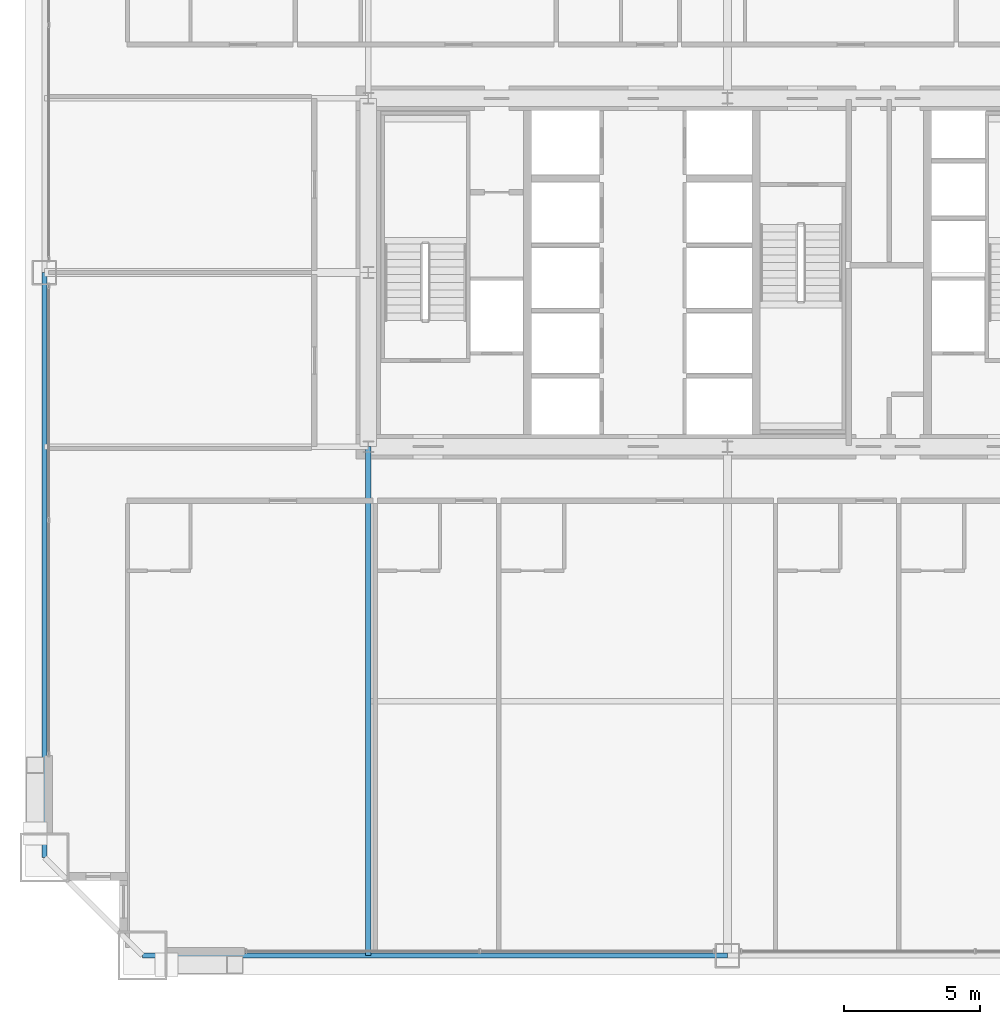
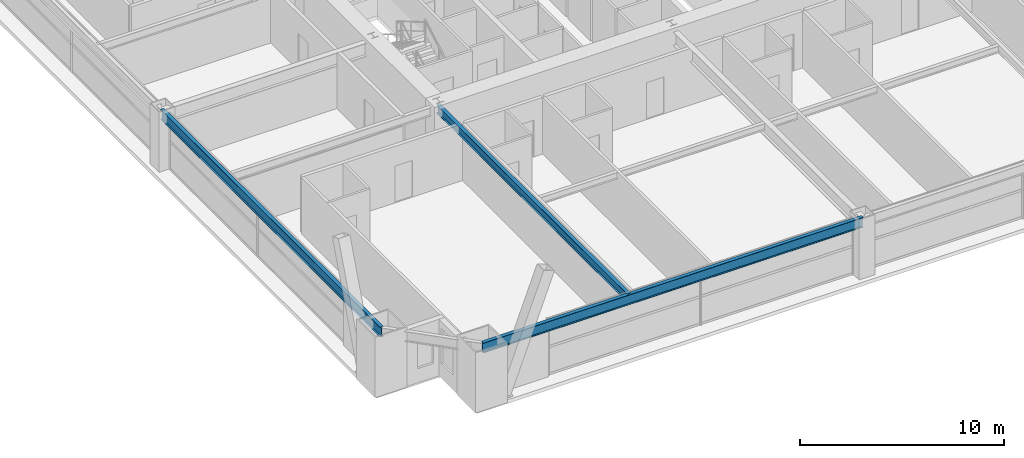
# One storey, part 4 of 43: 3 beams.
"""IFC4 building model written with IfcOpenShell, lengths in metres."""

from ifc_helpers import new_model, si_unit, direction, frame, origin, origin_2d, place, context, subcontext, project, spatial, i_section, extrude, source, transform, mapped, material, material_profile, profile_set, type_object, element, save


model = new_model("IFC4")

# Units and contexts
model_context = context("Model", 3, precision=1e-05, world=origin(), true_north=direction((0.0, 1.0)))
body_context = subcontext(model_context, "Body", "Model", "MODEL_VIEW")
ifc_project = project(units=[si_unit("LENGTHUNIT", "METRE"), si_unit("AREAUNIT", "SQUARE_METRE"), si_unit("VOLUMEUNIT", "CUBIC_METRE"), si_unit("PLANEANGLEUNIT", "RADIAN"), si_unit("MASSUNIT", "GRAM", prefix="KILO"), si_unit("THERMODYNAMICTEMPERATUREUNIT", "KELVIN"), si_unit("POWERUNIT", "WATT")], contexts=[model_context])

# Site, building, storey
site_placement = place(None, origin())
site = spatial("IfcSite", under=ifc_project, at=site_placement, CompositionType="ELEMENT")
building_placement = place(site_placement, origin())
building = spatial("IfcBuilding", under=site, at=building_placement, Name="Yuzanri Waterfront Tower", CompositionType="ELEMENT")
storey_placement = place(building_placement, frame((0.0, 0.0, 74.800048828125)))
storey = spatial("IfcBuildingStorey", under=building, at=storey_placement, Name="L19", CompositionType="ELEMENT", Elevation=74.800048828125)

# Beams
ifc_material_1 = material(Name="Steel Q355B", Category="steel")
ifc_material_profile_1 = material_profile(ifc_material_1, i_section(OverallWidth=0.199951171875, OverallDepth=0.60009765625, WebThickness=0.010986328125, FlangeThickness=0.01708984375, at=origin_2d()), Name="HN 600x200x11x17")
ifc_profile_set_1 = profile_set([ifc_material_profile_1], Name="Steel Q355B")
beam_type_1 = type_object("IfcBeamType", Name="Perimeter Spandrel Q355B HN 600x200", PredefinedType="SPANDREL", material=ifc_profile_set_1)
shared_shape_1 = source(origin(), body_context, "Body", "SweptSolid", [
    extrude(i_section(OverallWidth=0.199951171875, OverallDepth=0.60009765625, WebThickness=0.010986328125, FlangeThickness=0.01708984375, at=origin_2d()), origin(), (0.0, 0.0, 1.0), 21.5),
])
for number, where, z_axis, x_axis, name in (
    (1, (15.5, 0.699951171875, 3.079833984375), (1.0, 0.0, 0.0), (0.0, 1.0, 0.0), "L19 Perimeter Spandrel S1-S2"),
    (2, (11.89990234375, 25.800048828125, 3.079833984375), (0.0, -1.0, 0.0), (1.0, 0.0, 0.0), "L19 Perimeter Spandrel W2-W1"),
):
    element("IfcBeam", number, at=place(storey_placement, frame(where, z_axis=z_axis, x_axis=x_axis)), inside=storey, type_object=beam_type_1, Name=name, PredefinedType="SPANDREL", context=body_context, shape_type="MappedRepresentation", body=[
        mapped(shared_shape_1, transform((0.0, 0.0, 0.0), scale=1.0)),
    ])
ifc_material_2 = material(Name="Steel Q355B", Category="steel")
ifc_material_profile_2 = material_profile(ifc_material_2, i_section(OverallWidth=0.199951171875, OverallDepth=0.5, WebThickness=0.010009765625, FlangeThickness=0.01611328125, at=origin_2d()), Name="HN 500x200x10x16")
ifc_profile_set_2 = profile_set([ifc_material_profile_2], Name="Steel Q355B")
beam_type_2 = type_object("IfcBeamType", Name="Secondary Floor Beam Q355B HN 500x200", PredefinedType="BEAM", material=ifc_profile_set_2)
shared_shape_2 = source(origin(), body_context, "Body", "SweptSolid", [
    extrude(i_section(OverallWidth=0.199951171875, OverallDepth=0.5, WebThickness=0.010009765625, FlangeThickness=0.01611328125, at=origin_2d()), origin(), (0.0, 0.0, 1.0), 18.699951171875),
])
beam_placement = place(storey_placement, frame((23.800048828125, 19.39990234375, 3.1298828125), z_axis=(0.0, -1.0, 0.0), x_axis=(1.0, 0.0, 0.0)))
element("IfcBeam", 3, at=beam_placement, inside=storey, type_object=beam_type_2, Name="L19 South-West Core Line Beam", PredefinedType="BEAM", context=body_context, shape_type="MappedRepresentation", body=[
    mapped(shared_shape_2, transform((0.0, 0.0, 0.0), scale=1.0)),
])

save(model, "model.ifc")
